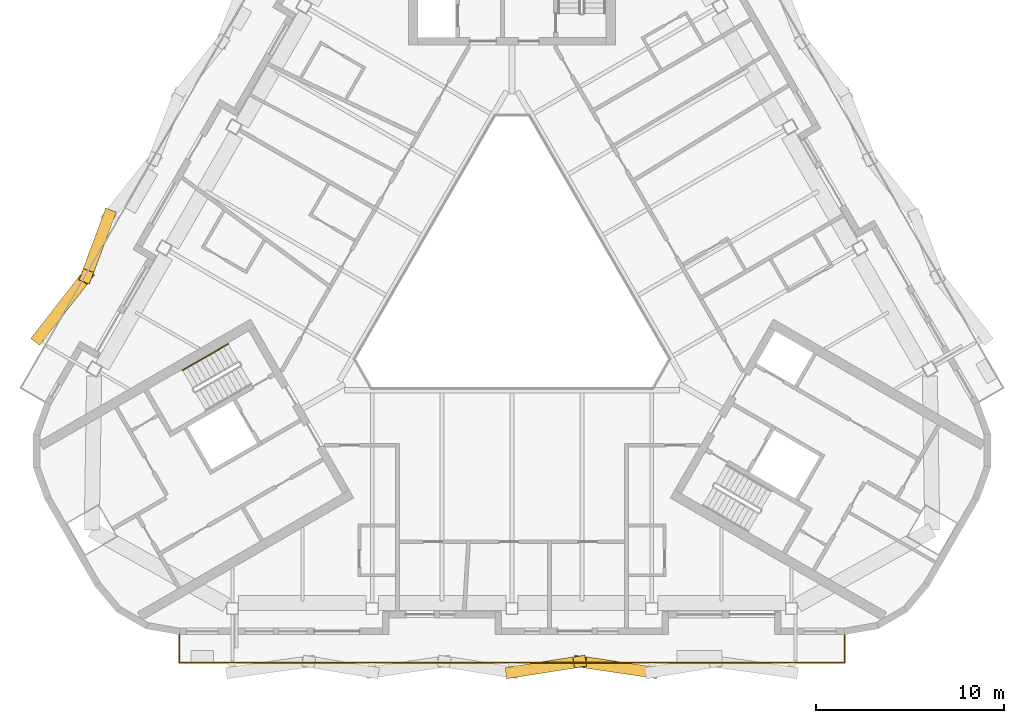
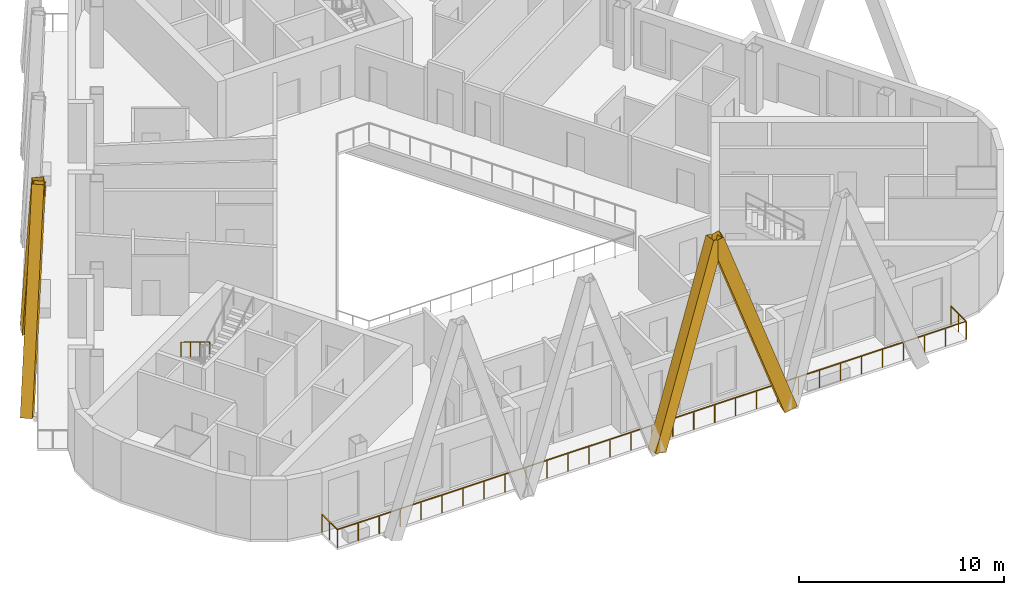
# One storey, part 10 of 14: 4 shading devices, 2 railings.
"""IFC4 building model written with IfcOpenShell, lengths in metres."""

from ifc_helpers import new_model, si_unit, direction, frame, origin, origin_2d, place, context, subcontext, project, spatial, rectangle, hollow_rectangle, circle, extrude, material, material_profile, profile_set, type_object, element, save


model = new_model("IFC4")

# Units and contexts
model_context = context("Model", 3, precision=1e-05, world=origin(), true_north=direction((0.0, 1.0)))
body_context = subcontext(model_context, "Body", "Model", "MODEL_VIEW")
ifc_project = project(units=[si_unit("LENGTHUNIT", "METRE"), si_unit("AREAUNIT", "SQUARE_METRE"), si_unit("VOLUMEUNIT", "CUBIC_METRE"), si_unit("PLANEANGLEUNIT", "RADIAN"), si_unit("MASSUNIT", "GRAM", prefix="KILO")], contexts=[model_context])

# Site, building, storey
site_placement = place(None, origin())
site = spatial("IfcSite", under=ifc_project, at=site_placement, CompositionType="ELEMENT")
building_placement = place(site_placement, origin())
building = spatial("IfcBuilding", under=site, at=building_placement, Name="Apuvela Tower Hotel", CompositionType="ELEMENT")
storey_placement = place(building_placement, frame((0.0, 0.0, 268.89990234375)))
storey = spatial("IfcBuildingStorey", under=building, at=storey_placement, Name="L66", CompositionType="ELEMENT", Elevation=268.89990234375)

# Railing
ifc_material_1 = material(Name="Stainless steel 316 handrail", Category="steel")
railing_type_1 = type_object("IfcRailingType", Name="COR-HANDRAIL-900", PredefinedType="HANDRAIL", material=ifc_material_1)
railing_1_placement = place(storey_placement, frame((-15.118896484375, -3.01318359375, 0.168212890625)))
element("IfcRailing", 1, at=railing_1_placement, inside=storey, type_object=railing_type_1, Name="L66 ST2 stair handrail 1", PredefinedType="HANDRAIL", context=body_context, shape_type="SweptSolid", body=[
    extrude(circle(Radius=0.02392578125, at=origin_2d()), frame((0.0, 0.0, 0.8759765625), z_axis=(-0.742424030051, -0.428577407461, 0.514905783049), x_axis=(0.49994636267, -0.866056369097, 0.0)), (0.0, 0.0, 1.0), 3.266357421875),
    extrude(rectangle(XDim=0.0419921875, YDim=0.0419921875, at=origin_2d()), origin(), (0.0, 0.0, 1.0), 0.851806640625),
    extrude(rectangle(XDim=0.0419921875, YDim=0.0419921875, at=origin_2d()), frame((-0.808349609375, -0.466552734375, 0.560546875)), (0.0, 0.0, 1.0), 0.851806640625),
    extrude(rectangle(XDim=0.0419921875, YDim=0.0419921875, at=origin_2d()), frame((-1.61669921875, -0.933349609375, 1.121337890625)), (0.0, 0.0, 1.0), 0.851806640625),
    extrude(rectangle(XDim=0.0419921875, YDim=0.0419921875, at=origin_2d()), frame((-2.425048828125, -1.39990234375, 1.681884765625)), (0.0, 0.0, 1.0), 0.851806640625),
])

# Shading devices
ifc_material_2 = material(Name="Aluminium 6063-T6, black anodised", Category="aluminium")
ifc_material_profile = material_profile(ifc_material_2, hollow_rectangle(XDim=0.60009765625, YDim=0.699951171875, WallThickness=0.011962890625, at=origin_2d()), Name="AL BOX 700x600x12")
ifc_profile_set = profile_set([ifc_material_profile], Name="Aluminium 6063-T6, black anodised")
shading_device_type = type_object("IfcShadingDeviceType", Name="ENV-FIN-700x600", PredefinedType="USERDEFINED", material=ifc_profile_set)
shading_device_1_placement = place(storey_placement, frame((0.0, -20.495849609375, -0.099853515625), z_axis=(0.308738346495, 0.048534829729, 0.949907892223), x_axis=(-0.155296550327, 0.987867896764, 0.0)))
element("IfcShadingDevice", 2, at=shading_device_1_placement, inside=storey, type_object=shading_device_type, Name="Lattice fin S549", ObjectType="FIN", PredefinedType="USERDEFINED", context=body_context, shape_type="SweptSolid", body=[
    extrude(hollow_rectangle(XDim=0.60009765625, YDim=0.699951171875, WallThickness=0.011962890625, at=origin_2d()), origin(), (0.0, 0.0, 1.0), 11.685302734375),
])
shading_device_2_placement = place(storey_placement, frame((7.443603515625, -20.495849609375, -0.099853515625), z_axis=(-0.326249792914, 0.048235633206, 0.944052115252), x_axis=(-0.146258864264, -0.989246351838, 0.0)))
element("IfcShadingDevice", 3, at=shading_device_2_placement, inside=storey, type_object=shading_device_type, Name="Lattice fin S550", ObjectType="FIN", PredefinedType="USERDEFINED", context=body_context, shape_type="SweptSolid", body=[
    extrude(hollow_rectangle(XDim=0.60009765625, YDim=0.699951171875, WallThickness=0.011962890625, at=origin_2d()), origin(), (0.0, 0.0, 1.0), 11.757568359375),
])
shading_device_3_placement = place(storey_placement, frame((-21.4716796875, 3.801513671875, -0.099853515625), z_axis=(-0.103189739622, -0.276342543033, 0.955503362918), x_axis=(0.936817233822, -0.34981919675, 0.0)))
element("IfcShadingDevice", 4, at=shading_device_3_placement, inside=storey, type_object=shading_device_type, Name="Lattice fin NW615", ObjectType="FIN", PredefinedType="USERDEFINED", context=body_context, shape_type="SweptSolid", body=[
    extrude(hollow_rectangle(XDim=0.60009765625, YDim=0.699951171875, WallThickness=0.011962890625, at=origin_2d()), origin(), (0.0, 0.0, 1.0), 11.61669921875),
])
shading_device_4_placement = place(storey_placement, frame((-25.193603515625, -2.644775390625, -0.099853515625), z_axis=(0.213214121661, 0.273454589513, 0.937956462635), x_axis=(-0.788614818164, 0.61488752514, 0.0)))
element("IfcShadingDevice", 5, at=shading_device_4_placement, inside=storey, type_object=shading_device_type, Name="Lattice fin NW616", ObjectType="FIN", PredefinedType="USERDEFINED", context=body_context, shape_type="SweptSolid", body=[
    extrude(hollow_rectangle(XDim=0.60009765625, YDim=0.699951171875, WallThickness=0.011962890625, at=origin_2d()), origin(), (0.0, 0.0, 1.0), 11.833984375),
])

# Railing
ifc_material_3 = material(Name="Stainless steel 316 rail with laminated glass infill", Category="steel")
railing_type_2 = type_object("IfcRailingType", Name="ENV-GUARD-1100", PredefinedType="GUARDRAIL", material=ifc_material_3)
railing_2_placement = place(storey_placement, frame((-17.728759765625, -18.495849609375, 0.0)))
element("IfcRailing", 6, at=railing_2_placement, inside=storey, type_object=railing_type_2, Name="Balcony guard S L66", PredefinedType="GUARDRAIL", context=body_context, shape_type="SweptSolid", body=[
    extrude(rectangle(XDim=0.050048828125, YDim=0.050048828125, at=origin_2d()), frame((0.0, 0.0, 1.0751953125), z_axis=(0.0, -1.0, 0.0), x_axis=(1.0, 0.0, 0.0)), (0.0, 0.0, 1.0), 1.5),
    extrude(rectangle(XDim=0.050048828125, YDim=0.050048828125, at=origin_2d()), frame((0.0, -1.5, 1.0751953125), z_axis=(1.0, 0.0, 0.0), x_axis=(0.0, 1.0, 0.0)), (0.0, 0.0, 1.0), 35.45751953125),
    extrude(rectangle(XDim=0.050048828125, YDim=0.050048828125, at=origin_2d()), frame((35.45751953125, -1.5, 1.0751953125), z_axis=(0.0, 1.0, 0.0), x_axis=(-1.0, 0.0, 0.0)), (0.0, 0.0, 1.0), 1.5),
    extrude(rectangle(XDim=0.0400390625, YDim=0.0400390625, at=origin_2d()), origin(), (0.0, 0.0, 1.0), 1.050048828125),
    extrude(rectangle(XDim=0.0400390625, YDim=0.0400390625, at=origin_2d()), frame((0.0, -0.75, 0.0)), (0.0, 0.0, 1.0), 1.050048828125),
    extrude(rectangle(XDim=0.0400390625, YDim=0.0400390625, at=origin_2d()), frame((0.0, -1.5, 0.0)), (0.0, 0.0, 1.0), 1.050048828125),
    extrude(rectangle(XDim=0.0400390625, YDim=0.0400390625, at=origin_2d()), frame((1.181884765625, -1.5, 0.0)), (0.0, 0.0, 1.0), 1.050048828125),
    extrude(rectangle(XDim=0.0400390625, YDim=0.0400390625, at=origin_2d()), frame((2.36376953125, -1.5, 0.0)), (0.0, 0.0, 1.0), 1.050048828125),
    extrude(rectangle(XDim=0.0400390625, YDim=0.0400390625, at=origin_2d()), frame((3.545654296875, -1.5, 0.0)), (0.0, 0.0, 1.0), 1.050048828125),
    extrude(rectangle(XDim=0.0400390625, YDim=0.0400390625, at=origin_2d()), frame((4.727783203125, -1.5, 0.0)), (0.0, 0.0, 1.0), 1.050048828125),
    extrude(rectangle(XDim=0.0400390625, YDim=0.0400390625, at=origin_2d()), frame((5.90966796875, -1.5, 0.0)), (0.0, 0.0, 1.0), 1.050048828125),
    extrude(rectangle(XDim=0.0400390625, YDim=0.0400390625, at=origin_2d()), frame((7.091552734375, -1.5, 0.0)), (0.0, 0.0, 1.0), 1.050048828125),
    extrude(rectangle(XDim=0.0400390625, YDim=0.0400390625, at=origin_2d()), frame((8.2734375, -1.5, 0.0)), (0.0, 0.0, 1.0), 1.050048828125),
    extrude(rectangle(XDim=0.0400390625, YDim=0.0400390625, at=origin_2d()), frame((9.455322265625, -1.5, 0.0)), (0.0, 0.0, 1.0), 1.050048828125),
    extrude(rectangle(XDim=0.0400390625, YDim=0.0400390625, at=origin_2d()), frame((10.63720703125, -1.5, 0.0)), (0.0, 0.0, 1.0), 1.050048828125),
    extrude(rectangle(XDim=0.0400390625, YDim=0.0400390625, at=origin_2d()), frame((11.819091796875, -1.5, 0.0)), (0.0, 0.0, 1.0), 1.050048828125),
    extrude(rectangle(XDim=0.0400390625, YDim=0.0400390625, at=origin_2d()), frame((13.0009765625, -1.5, 0.0)), (0.0, 0.0, 1.0), 1.050048828125),
    extrude(rectangle(XDim=0.0400390625, YDim=0.0400390625, at=origin_2d()), frame((14.18310546875, -1.5, 0.0)), (0.0, 0.0, 1.0), 1.050048828125),
    extrude(rectangle(XDim=0.0400390625, YDim=0.0400390625, at=origin_2d()), frame((15.364990234375, -1.5, 0.0)), (0.0, 0.0, 1.0), 1.050048828125),
    extrude(rectangle(XDim=0.0400390625, YDim=0.0400390625, at=origin_2d()), frame((16.546875, -1.5, 0.0)), (0.0, 0.0, 1.0), 1.050048828125),
    extrude(rectangle(XDim=0.0400390625, YDim=0.0400390625, at=origin_2d()), frame((17.728759765625, -1.5, 0.0)), (0.0, 0.0, 1.0), 1.050048828125),
    extrude(rectangle(XDim=0.0400390625, YDim=0.0400390625, at=origin_2d()), frame((18.91064453125, -1.5, 0.0)), (0.0, 0.0, 1.0), 1.050048828125),
    extrude(rectangle(XDim=0.0400390625, YDim=0.0400390625, at=origin_2d()), frame((20.092529296875, -1.5, 0.0)), (0.0, 0.0, 1.0), 1.050048828125),
    extrude(rectangle(XDim=0.0400390625, YDim=0.0400390625, at=origin_2d()), frame((21.2744140625, -1.5, 0.0)), (0.0, 0.0, 1.0), 1.050048828125),
    extrude(rectangle(XDim=0.0400390625, YDim=0.0400390625, at=origin_2d()), frame((22.45654296875, -1.5, 0.0)), (0.0, 0.0, 1.0), 1.050048828125),
    extrude(rectangle(XDim=0.0400390625, YDim=0.0400390625, at=origin_2d()), frame((23.638427734375, -1.5, 0.0)), (0.0, 0.0, 1.0), 1.050048828125),
    extrude(rectangle(XDim=0.0400390625, YDim=0.0400390625, at=origin_2d()), frame((24.8203125, -1.5, 0.0)), (0.0, 0.0, 1.0), 1.050048828125),
    extrude(rectangle(XDim=0.0400390625, YDim=0.0400390625, at=origin_2d()), frame((26.002197265625, -1.5, 0.0)), (0.0, 0.0, 1.0), 1.050048828125),
    extrude(rectangle(XDim=0.0400390625, YDim=0.0400390625, at=origin_2d()), frame((27.18408203125, -1.5, 0.0)), (0.0, 0.0, 1.0), 1.050048828125),
    extrude(rectangle(XDim=0.0400390625, YDim=0.0400390625, at=origin_2d()), frame((28.365966796875, -1.5, 0.0)), (0.0, 0.0, 1.0), 1.050048828125),
    extrude(rectangle(XDim=0.0400390625, YDim=0.0400390625, at=origin_2d()), frame((29.5478515625, -1.5, 0.0)), (0.0, 0.0, 1.0), 1.050048828125),
    extrude(rectangle(XDim=0.0400390625, YDim=0.0400390625, at=origin_2d()), frame((30.729736328125, -1.5, 0.0)), (0.0, 0.0, 1.0), 1.050048828125),
    extrude(rectangle(XDim=0.0400390625, YDim=0.0400390625, at=origin_2d()), frame((31.911865234375, -1.5, 0.0)), (0.0, 0.0, 1.0), 1.050048828125),
    extrude(rectangle(XDim=0.0400390625, YDim=0.0400390625, at=origin_2d()), frame((33.09375, -1.5, 0.0)), (0.0, 0.0, 1.0), 1.050048828125),
    extrude(rectangle(XDim=0.0400390625, YDim=0.0400390625, at=origin_2d()), frame((34.275634765625, -1.5, 0.0)), (0.0, 0.0, 1.0), 1.050048828125),
    extrude(rectangle(XDim=0.0400390625, YDim=0.0400390625, at=origin_2d()), frame((35.45751953125, -1.5, 0.0)), (0.0, 0.0, 1.0), 1.050048828125),
    extrude(rectangle(XDim=0.0400390625, YDim=0.0400390625, at=origin_2d()), frame((35.45751953125, -0.75, 0.0)), (0.0, 0.0, 1.0), 1.050048828125),
    extrude(rectangle(XDim=0.0400390625, YDim=0.0400390625, at=origin_2d()), frame((35.45751953125, 0.0, 0.0)), (0.0, 0.0, 1.0), 1.050048828125),
])

save(model, "model.ifc")
